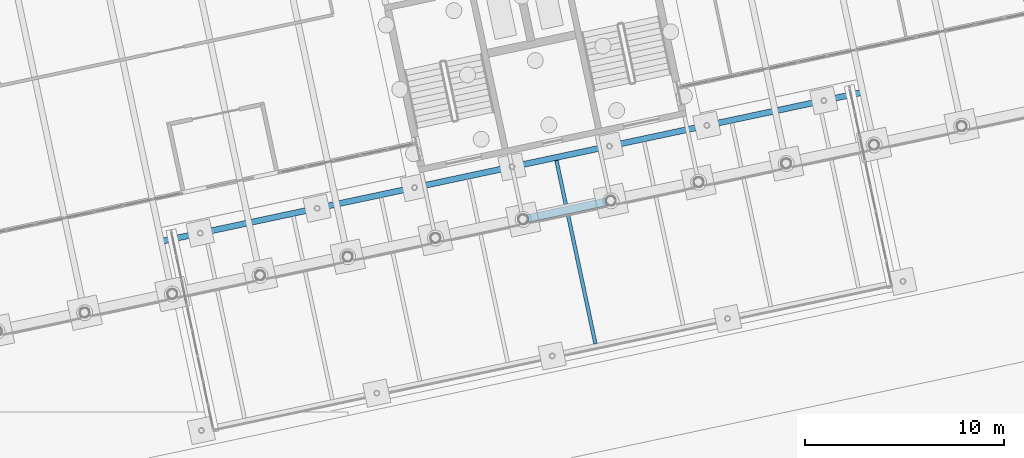
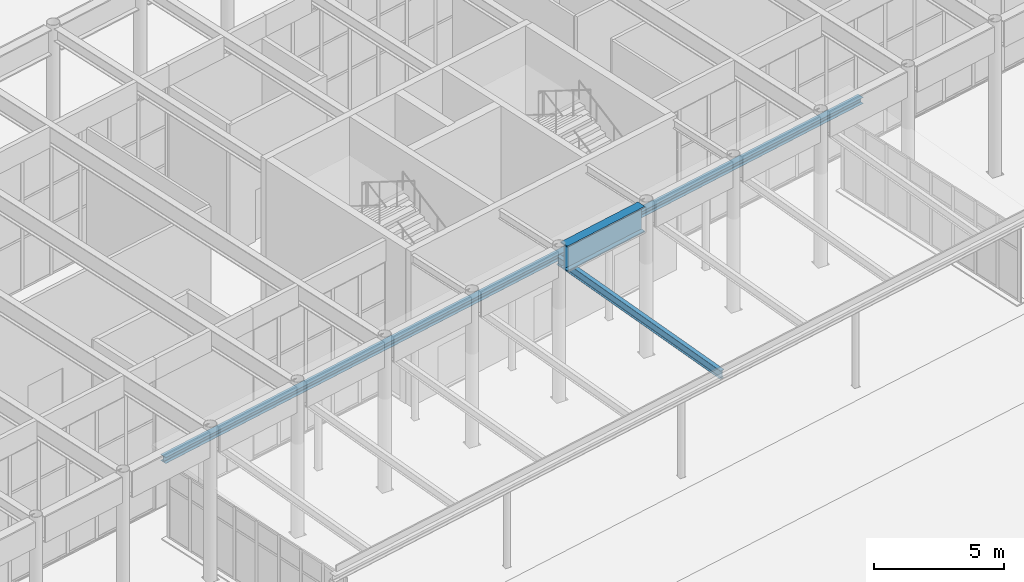
# One storey, part 77 of 239: 3 beams.
"""IFC4 building model written with IfcOpenShell, lengths in metres."""

from ifc_helpers import new_model, si_unit, direction, frame, origin, origin_2d, place, context, subcontext, project, spatial, i_section, extrude, material, material_profile, profile_set, type_object, element, save


model = new_model("IFC4")

# Units and contexts
model_context = context("Model", 3, precision=1e-05, world=origin(), true_north=direction((0.0, 1.0)))
body_context = subcontext(model_context, "Body", "Model", "MODEL_VIEW")
ifc_project = project(units=[si_unit("LENGTHUNIT", "METRE"), si_unit("AREAUNIT", "SQUARE_METRE"), si_unit("VOLUMEUNIT", "CUBIC_METRE"), si_unit("PLANEANGLEUNIT", "RADIAN"), si_unit("MASSUNIT", "GRAM", prefix="KILO")], contexts=[model_context])

# Site, building, storey
site_placement = place(None, origin())
site = spatial("IfcSite", under=ifc_project, at=site_placement, CompositionType="ELEMENT")
building_placement = place(site_placement, origin())
building = spatial("IfcBuilding", under=site, at=building_placement, Name="Okhra Congress Centre", CompositionType="ELEMENT")
storey_placement = place(building_placement, origin())
storey = spatial("IfcBuildingStorey", under=building, at=storey_placement, Name="L00", CompositionType="ELEMENT", Elevation=0.0)

# Beams
ifc_material = material(Name="Steel S355J2", Category="steel")
ifc_material_profile_1 = material_profile(ifc_material, i_section(OverallWidth=0.39990234375, OverallDepth=1.199951171875, WebThickness=0.02490234375, FlangeThickness=0.050048828125, at=origin_2d()), Name="Plate girder 1200x400")
ifc_profile_set_1 = profile_set([ifc_material_profile_1], Name="Steel S355J2")
beam_type_1 = type_object("IfcBeamType", Name="Perimeter plate girder 1200x400", PredefinedType="BEAM", material=ifc_profile_set_1)
beam_1_placement = place(storey_placement, frame((140.489501953125, 43.702880859375, 6.449951171875), z_axis=(0.978140349848, 0.20794580063, 0.0), x_axis=(-0.20794580063, 0.978140349848, 0.0)))
element("IfcBeam", 1, at=beam_1_placement, inside=storey, type_object=beam_type_1, Name="Perimeter girder S16", PredefinedType="BEAM", context=body_context, shape_type="SweptSolid", body=[
    extrude(i_section(OverallWidth=0.39990234375, OverallDepth=1.199951171875, WebThickness=0.02490234375, FlangeThickness=0.050048828125, at=origin_2d()), origin(), (0.0, 0.0, 1.0), 3.99169921875),
])
ifc_material_profile_2 = material_profile(ifc_material, i_section(OverallWidth=0.300048828125, OverallDepth=0.2900390625, WebThickness=0.008544921875, FlangeThickness=0.013916015625, FilletRadius=0.027099609375, at=origin_2d()), Name="HE 300 A")
ifc_profile_set_2 = profile_set([ifc_material_profile_2], Name="Steel S355J2")
beam_type_2 = type_object("IfcBeamType", Name="Porch edge beam HE 300 A", PredefinedType="BEAM", material=ifc_profile_set_2)
beam_2_placement = place(storey_placement, frame((122.072998046875, 42.548583984375, 4.13427734375), z_axis=(0.978147146372, 0.207913828413, 0.0), x_axis=(-0.207913828413, 0.978147146372, 0.0)))
element("IfcBeam", 2, at=beam_2_placement, inside=storey, type_object=beam_type_2, Name="Porch edge beam N", PredefinedType="BEAM", context=body_context, shape_type="SweptSolid", body=[
    extrude(i_section(OverallWidth=0.300048828125, OverallDepth=0.2900390625, WebThickness=0.008544921875, FlangeThickness=0.013916015625, FilletRadius=0.027099609375, at=origin_2d()), origin(), (0.0, 0.0, 1.0), 35.999755859375),
])
ifc_material_profile_3 = material_profile(ifc_material, i_section(OverallWidth=0.179931640625, OverallDepth=0.39990234375, WebThickness=0.008544921875, FlangeThickness=0.013427734375, FilletRadius=0.02099609375, at=origin_2d()), Name="IPE 400")
ifc_profile_set_3 = profile_set([ifc_material_profile_3], Name="Steel S355J2")
beam_type_3 = type_object("IfcBeamType", Name="Porch roof beam IPE 400", PredefinedType="BEAM", material=ifc_profile_set_3)
beam_3_placement = place(storey_placement, frame((143.865966796875, 37.41748046875, 3.57861328125), z_axis=(-0.207624405442, 0.976807337082, 0.052340543433), x_axis=(-0.978148090206, -0.207909388017, 0.0)))
element("IfcBeam", 3, at=beam_3_placement, inside=storey, type_object=beam_type_3, Name="Porch roof beam 5", PredefinedType="BEAM", context=body_context, shape_type="SweptSolid", body=[
    extrude(i_section(OverallWidth=0.179931640625, OverallDepth=0.39990234375, WebThickness=0.008544921875, FlangeThickness=0.013427734375, FilletRadius=0.02099609375, at=origin_2d()), origin(), (0.0, 0.0, 1.0), 9.412841796875),
])

save(model, "model.ifc")
